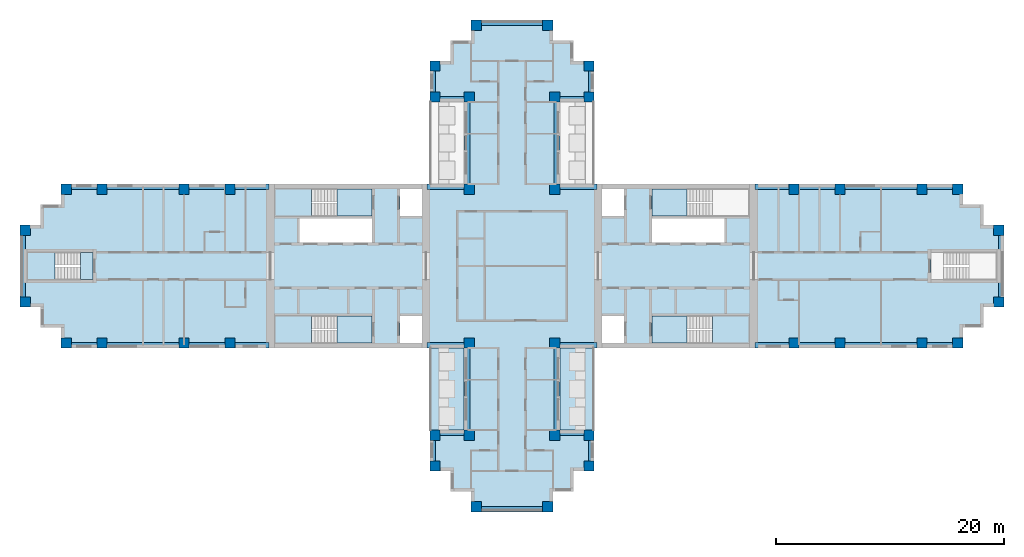
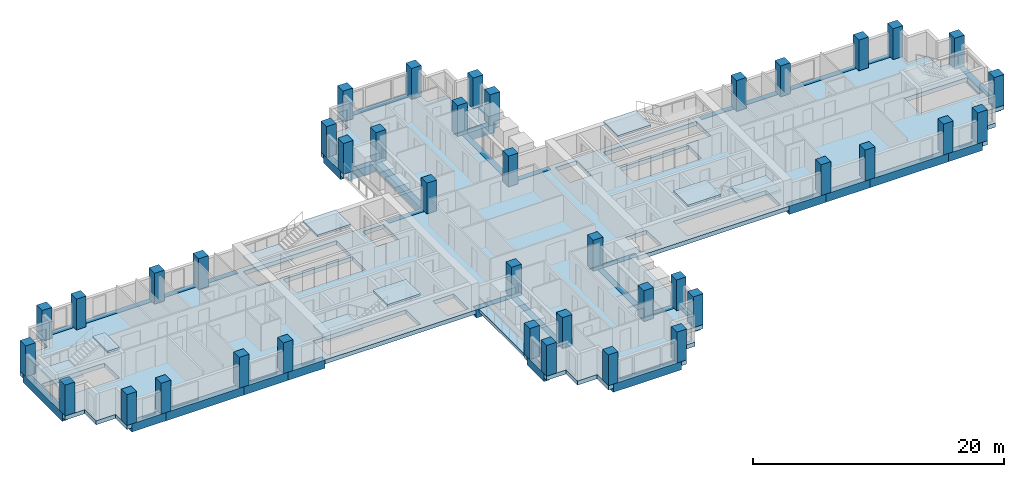
# One storey, part 1 of 12: 40 columns, 36 beams, 12 slabs, 5 elements without a shape of their own.
"""IFC4 building model written with IfcOpenShell, lengths in metres."""

from ifc_helpers import new_model, si_unit, direction, frame, origin, origin_2d, place, context, subcontext, project, spatial, polyline, rectangle, outline, extrude, material, layer, layer_set, material_profile, profile_set, type_object, element, aggregate, save


model = new_model("IFC4")

# Units and contexts
model_context = context("Model", 3, precision=1e-05, world=origin(), true_north=direction((0.0, 1.0)))
body_context = subcontext(model_context, "Body", "Model", "MODEL_VIEW")
ifc_project = project(units=[si_unit("LENGTHUNIT", "METRE"), si_unit("AREAUNIT", "SQUARE_METRE"), si_unit("VOLUMEUNIT", "CUBIC_METRE"), si_unit("PLANEANGLEUNIT", "RADIAN"), si_unit("MASSUNIT", "GRAM", prefix="KILO")], contexts=[model_context])

# Site, building, storey
site_placement = place(None, origin())
site = spatial("IfcSite", under=ifc_project, at=site_placement, CompositionType="ELEMENT")
building_placement = place(site_placement, origin())
building = spatial("IfcBuilding", under=site, at=building_placement, Name="Fustian Cross Tower", CompositionType="ELEMENT")
storey_placement = place(building_placement, frame((0.0, 0.0, 150.300048828125)))
storey = spatial("IfcBuildingStorey", under=building, at=storey_placement, Name="L47", CompositionType="ELEMENT", Elevation=150.300048828125)

# Columns
ifc_material_1 = material(Name="Concrete C50/60", Category="concrete")
ifc_material_profile_1 = material_profile(ifc_material_1, rectangle(XDim=0.89990234375, YDim=0.89990234375, at=origin_2d()), Name="RC 900x900")
ifc_profile_set_1 = profile_set([ifc_material_profile_1], Name="Concrete C50/60")
column_type = type_object("IfcColumnType", Name="COLUMN RC 900x900 C50/60", PredefinedType="COLUMN", material=ifc_profile_set_1)
for number, where, z_axis, x_axis, name in (
    (1, (-42.75, -3.14990234375, 0.0), (0.0, 0.0, 1.0), (1.0, 0.0, 0.0), "COLUMN 001"),
    (2, (-42.75, 3.14990234375, 0.0), (0.0, 0.0, 1.0), (1.0, 0.0, 0.0), "COLUMN 002"),
    (3, (-39.14990234375, -6.75, 0.0), (0.0, 0.0, 1.0), (1.0, 0.0, 0.0), "COLUMN 003"),
    (4, (-39.14990234375, 6.75, 0.0), (0.0, 0.0, 1.0), (1.0, 0.0, 0.0), "COLUMN 004"),
    (5, (-36.0, -6.75, 0.0), (0.0, 0.0, 1.0), (1.0, 0.0, 0.0), "COLUMN 005"),
    (6, (-36.0, 6.75, 0.0), (0.0, 0.0, 1.0), (1.0, 0.0, 0.0), "COLUMN 006"),
    (7, (-28.800048828125, -6.75, 0.0), (0.0, 0.0, 1.0), (1.0, 0.0, 0.0), "COLUMN 007"),
    (8, (-28.800048828125, 6.75, 0.0), (0.0, 0.0, 1.0), (1.0, 0.0, 0.0), "COLUMN 010"),
    (9, (-24.75, -6.75, 0.0), (0.0, 0.0, 1.0), (1.0, 0.0, 0.0), "COLUMN 011"),
    (10, (-24.75, 6.75, 0.0), (0.0, 0.0, 1.0), (1.0, 0.0, 0.0), "COLUMN 012"),
    (11, (-6.75, -17.550048828125, 0.0), (0.0, 0.0, 1.0), (1.0, 0.0, 0.0), "COLUMN 017"),
    (12, (-6.75, -14.85009765625, 0.0), (0.0, 0.0, 1.0), (1.0, 0.0, 0.0), "COLUMN 018"),
    (13, (-6.75, 14.85009765625, 0.0), (0.0, 0.0, 1.0), (1.0, 0.0, 0.0), "COLUMN 019"),
    (14, (-6.75, 17.550048828125, 0.0), (0.0, 0.0, 1.0), (1.0, 0.0, 0.0), "COLUMN 020"),
    (15, (-3.75, -14.85009765625, 0.0), (0.0, 0.0, 1.0), (1.0, 0.0, 0.0), "COLUMN 025"),
    (16, (-3.75, -6.75, 0.0), (0.0, 0.0, 1.0), (1.0, 0.0, 0.0), "COLUMN 026"),
    (17, (-3.75, 6.75, 0.0), (0.0, 0.0, 1.0), (1.0, 0.0, 0.0), "COLUMN 027"),
    (18, (-3.75, 14.85009765625, 0.0), (0.0, 0.0, 1.0), (1.0, 0.0, 0.0), "COLUMN 028"),
    (19, (-3.14990234375, -21.14990234375, 0.0), (0.0, 0.0, 1.0), (1.0, 0.0, 0.0), "COLUMN 030"),
    (20, (-3.14990234375, 21.14990234375, 0.0), (0.0, 0.0, 1.0), (1.0, 0.0, 0.0), "COLUMN 031"),
    (21, (3.14990234375, -21.14990234375, 0.0), (0.0, 0.0, 1.0), (1.0, 0.0, 0.0), "COLUMN 034"),
    (22, (3.14990234375, 21.14990234375, 0.0), (0.0, 0.0, 1.0), (1.0, 0.0, 0.0), "COLUMN 035"),
    (23, (3.75, -14.85009765625, 0.0), (0.0, 0.0, 1.0), (1.0, 0.0, 0.0), "COLUMN 037"),
    (24, (3.75, -6.75, 0.0), (0.0, 0.0, 1.0), (1.0, 0.0, 0.0), "COLUMN 038"),
    (25, (3.75, 6.75, 0.0), (0.0, 0.0, 1.0), (1.0, 0.0, 0.0), "COLUMN 039"),
    (26, (3.75, 14.85009765625, 0.0), (0.0, 0.0, 1.0), (1.0, 0.0, 0.0), "COLUMN 040"),
    (27, (6.75, -17.550048828125, 0.0), (0.0, 0.0, 1.0), (1.0, 0.0, 0.0), "COLUMN 045"),
    (28, (6.75, -14.85009765625, 0.0), (0.0, 0.0, 1.0), (1.0, 0.0, 0.0), "COLUMN 046"),
    (29, (6.75, 14.85009765625, 0.0), (0.0, 0.0, 1.0), (1.0, 0.0, 0.0), "COLUMN 047"),
    (30, (6.75, 17.550048828125, 0.0), (0.0, 0.0, 1.0), (1.0, 0.0, 0.0), "COLUMN 048"),
    (31, (24.75, -6.75, 0.0), (0.0, 0.0, 1.0), (1.0, 0.0, 0.0), "COLUMN 053"),
    (32, (24.75, 6.75, 0.0), (0.0, 0.0, 1.0), (1.0, 0.0, 0.0), "COLUMN 054"),
    (33, (28.800048828125, -6.75, 0.0), (0.0, 0.0, 1.0), (1.0, 0.0, 0.0), "COLUMN 055"),
    (34, (28.800048828125, 6.75, 0.0), (0.0, 0.0, 1.0), (1.0, 0.0, 0.0), "COLUMN 058"),
    (35, (36.0, -6.75, 0.0), (0.0, 0.0, 1.0), (1.0, 0.0, 0.0), "COLUMN 059"),
    (36, (36.0, 6.75, 0.0), (0.0, 0.0, 1.0), (1.0, 0.0, 0.0), "COLUMN 060"),
    (37, (39.14990234375, -6.75, 0.0), (0.0, 0.0, 1.0), (1.0, 0.0, 0.0), "COLUMN 061"),
    (38, (39.14990234375, 6.75, 0.0), (0.0, 0.0, 1.0), (1.0, 0.0, 0.0), "COLUMN 062"),
    (39, (42.75, -3.14990234375, 0.0), (0.0, 0.0, 1.0), (1.0, 0.0, 0.0), "COLUMN 063"),
    (40, (42.75, 3.14990234375, 0.0), (0.0, 0.0, 1.0), (1.0, 0.0, 0.0), "COLUMN 064"),
):
    element("IfcColumn", number, at=place(storey_placement, frame(where, z_axis=z_axis, x_axis=x_axis)), inside=storey, type_object=column_type, Name=name, PredefinedType="COLUMN", context=body_context, shape_type="SweptSolid", body=[
        extrude(rectangle(XDim=0.89990234375, YDim=0.89990234375, at=origin_2d()), origin(), (0.0, 0.0, 1.0), 3.0),
    ])

# Beams
ifc_material_2 = material(Name="Concrete C50/60", Category="concrete")
ifc_material_profile_2 = material_profile(ifc_material_2, rectangle(XDim=0.5, YDim=0.800048828125, at=origin_2d()), Name="RC 500x800")
ifc_profile_set_2 = profile_set([ifc_material_profile_2], Name="Concrete C50/60")
beam_type = type_object("IfcBeamType", Name="EDGE BEAM RC 500x800 C50/60", PredefinedType="SPANDREL", material=ifc_profile_set_2)
beam_1_placement = place(storey_placement, frame((21.35009765625, -6.949951171875, -0.400146484375), z_axis=(1.0, 0.0, 0.0), x_axis=(0.0, 1.0, 0.0)))
element("IfcBeam", 41, at=beam_1_placement, inside=storey, type_object=beam_type, Name="EDGE BEAM L47-01", PredefinedType="SPANDREL", context=body_context, shape_type="SweptSolid", body=[
    extrude(rectangle(XDim=0.5, YDim=0.800048828125, at=origin_2d()), origin(), (0.0, 0.0, 1.0), 3.39990234375),
])
beam_2_placement = place(storey_placement, frame((24.75, -6.949951171875, -0.400146484375), z_axis=(1.0, 0.0, 0.0), x_axis=(0.0, 1.0, 0.0)))
element("IfcBeam", 42, at=beam_2_placement, inside=storey, type_object=beam_type, Name="EDGE BEAM L47-02", PredefinedType="SPANDREL", context=body_context, shape_type="SweptSolid", body=[
    extrude(rectangle(XDim=0.5, YDim=0.800048828125, at=origin_2d()), origin(), (0.0, 0.0, 1.0), 4.050048828125),
])
beam_3_placement = place(storey_placement, frame((28.800048828125, -6.949951171875, -0.400146484375), z_axis=(1.0, 0.0, 0.0), x_axis=(0.0, 1.0, 0.0)))
element("IfcBeam", 43, at=beam_3_placement, inside=storey, type_object=beam_type, Name="EDGE BEAM L47-03", PredefinedType="SPANDREL", context=body_context, shape_type="SweptSolid", body=[
    extrude(rectangle(XDim=0.5, YDim=0.800048828125, at=origin_2d()), origin(), (0.0, 0.0, 1.0), 7.199951171875),
])
beam_4_placement = place(storey_placement, frame((36.0, -6.949951171875, -0.400146484375), z_axis=(1.0, 0.0, 0.0), x_axis=(0.0, 1.0, 0.0)))
element("IfcBeam", 44, at=beam_4_placement, inside=storey, type_object=beam_type, Name="EDGE BEAM L47-04", PredefinedType="SPANDREL", context=body_context, shape_type="SweptSolid", body=[
    extrude(rectangle(XDim=0.5, YDim=0.800048828125, at=origin_2d()), origin(), (0.0, 0.0, 1.0), 3.14990234375),
])
beam_5_placement = place(storey_placement, frame((42.949951171875, -3.14990234375, -0.400146484375), z_axis=(0.0, 1.0, 0.0), x_axis=(-1.0, 0.0, 0.0)))
element("IfcBeam", 45, at=beam_5_placement, inside=storey, type_object=beam_type, Name="EDGE BEAM L47-05", PredefinedType="SPANDREL", context=body_context, shape_type="SweptSolid", body=[
    extrude(rectangle(XDim=0.5, YDim=0.800048828125, at=origin_2d()), origin(), (0.0, 0.0, 1.0), 6.2998046875),
])
beam_6_placement = place(storey_placement, frame((39.14990234375, 6.949951171875, -0.400146484375), z_axis=(-1.0, 0.0, 0.0), x_axis=(0.0, -1.0, 0.0)))
element("IfcBeam", 46, at=beam_6_placement, inside=storey, type_object=beam_type, Name="EDGE BEAM L47-06", PredefinedType="SPANDREL", context=body_context, shape_type="SweptSolid", body=[
    extrude(rectangle(XDim=0.5, YDim=0.800048828125, at=origin_2d()), origin(), (0.0, 0.0, 1.0), 3.14990234375),
])
beam_7_placement = place(storey_placement, frame((36.0, 6.949951171875, -0.400146484375), z_axis=(-1.0, 0.0, 0.0), x_axis=(0.0, -1.0, 0.0)))
element("IfcBeam", 47, at=beam_7_placement, inside=storey, type_object=beam_type, Name="EDGE BEAM L47-07", PredefinedType="SPANDREL", context=body_context, shape_type="SweptSolid", body=[
    extrude(rectangle(XDim=0.5, YDim=0.800048828125, at=origin_2d()), origin(), (0.0, 0.0, 1.0), 7.199951171875),
])
beam_8_placement = place(storey_placement, frame((28.800048828125, 6.949951171875, -0.400146484375), z_axis=(-1.0, 0.0, 0.0), x_axis=(0.0, -1.0, 0.0)))
element("IfcBeam", 48, at=beam_8_placement, inside=storey, type_object=beam_type, Name="EDGE BEAM L47-08", PredefinedType="SPANDREL", context=body_context, shape_type="SweptSolid", body=[
    extrude(rectangle(XDim=0.5, YDim=0.800048828125, at=origin_2d()), origin(), (0.0, 0.0, 1.0), 4.050048828125),
])
beam_9_placement = place(storey_placement, frame((24.75, 6.949951171875, -0.400146484375), z_axis=(-1.0, 0.0, 0.0), x_axis=(0.0, -1.0, 0.0)))
element("IfcBeam", 49, at=beam_9_placement, inside=storey, type_object=beam_type, Name="EDGE BEAM L47-09", PredefinedType="SPANDREL", context=body_context, shape_type="SweptSolid", body=[
    extrude(rectangle(XDim=0.5, YDim=0.800048828125, at=origin_2d()), origin(), (0.0, 0.0, 1.0), 3.39990234375),
])
beam_10_placement = place(storey_placement, frame((7.449951171875, 6.949951171875, -0.400146484375), z_axis=(-1.0, 0.0, 0.0), x_axis=(0.0, -1.0, 0.0)))
element("IfcBeam", 50, at=beam_10_placement, inside=storey, type_object=beam_type, Name="EDGE BEAM L47-10", PredefinedType="SPANDREL", context=body_context, shape_type="SweptSolid", body=[
    extrude(rectangle(XDim=0.5, YDim=0.800048828125, at=origin_2d()), origin(), (0.0, 0.0, 1.0), 3.699951171875),
])
beam_11_placement = place(storey_placement, frame((3.949951171875, 6.75, -0.400146484375), z_axis=(0.0, 1.0, 0.0), x_axis=(-1.0, 0.0, 0.0)))
element("IfcBeam", 51, at=beam_11_placement, inside=storey, type_object=beam_type, Name="EDGE BEAM L47-11", PredefinedType="SPANDREL", context=body_context, shape_type="SweptSolid", body=[
    extrude(rectangle(XDim=0.5, YDim=0.800048828125, at=origin_2d()), origin(), (0.0, 0.0, 1.0), 8.10009765625),
])
beam_12_placement = place(storey_placement, frame((3.75, 14.64990234375, -0.400146484375), z_axis=(1.0, 0.0, 0.0), x_axis=(0.0, 1.0, 0.0)))
element("IfcBeam", 52, at=beam_12_placement, inside=storey, type_object=beam_type, Name="EDGE BEAM L47-12", PredefinedType="SPANDREL", context=body_context, shape_type="SweptSolid", body=[
    extrude(rectangle(XDim=0.5, YDim=0.800048828125, at=origin_2d()), origin(), (0.0, 0.0, 1.0), 3.0),
])
beam_13_placement = place(storey_placement, frame((6.949951171875, 14.85009765625, -0.400146484375), z_axis=(0.0, 1.0, 0.0), x_axis=(-1.0, 0.0, 0.0)))
element("IfcBeam", 53, at=beam_13_placement, inside=storey, type_object=beam_type, Name="EDGE BEAM L47-13", PredefinedType="SPANDREL", context=body_context, shape_type="SweptSolid", body=[
    extrude(rectangle(XDim=0.5, YDim=0.800048828125, at=origin_2d()), origin(), (0.0, 0.0, 1.0), 2.699951171875),
])
beam_14_placement = place(storey_placement, frame((3.14990234375, 21.35009765625, -0.400146484375), z_axis=(-1.0, 0.0, 0.0), x_axis=(0.0, -1.0, 0.0)))
element("IfcBeam", 54, at=beam_14_placement, inside=storey, type_object=beam_type, Name="EDGE BEAM L47-14", PredefinedType="SPANDREL", context=body_context, shape_type="SweptSolid", body=[
    extrude(rectangle(XDim=0.5, YDim=0.800048828125, at=origin_2d()), origin(), (0.0, 0.0, 1.0), 6.2998046875),
])
beam_15_placement = place(storey_placement, frame((-6.949951171875, 17.550048828125, -0.400146484375), z_axis=(0.0, -1.0, 0.0), x_axis=(1.0, 0.0, 0.0)))
element("IfcBeam", 55, at=beam_15_placement, inside=storey, type_object=beam_type, Name="EDGE BEAM L47-15", PredefinedType="SPANDREL", context=body_context, shape_type="SweptSolid", body=[
    extrude(rectangle(XDim=0.5, YDim=0.800048828125, at=origin_2d()), origin(), (0.0, 0.0, 1.0), 2.699951171875),
])
beam_16_placement = place(storey_placement, frame((-6.75, 14.64990234375, -0.400146484375), z_axis=(1.0, 0.0, 0.0), x_axis=(0.0, 1.0, 0.0)))
element("IfcBeam", 56, at=beam_16_placement, inside=storey, type_object=beam_type, Name="EDGE BEAM L47-16", PredefinedType="SPANDREL", context=body_context, shape_type="SweptSolid", body=[
    extrude(rectangle(XDim=0.5, YDim=0.800048828125, at=origin_2d()), origin(), (0.0, 0.0, 1.0), 3.0),
])
beam_17_placement = place(storey_placement, frame((-3.949951171875, 14.85009765625, -0.400146484375), z_axis=(0.0, -1.0, 0.0), x_axis=(1.0, 0.0, 0.0)))
element("IfcBeam", 57, at=beam_17_placement, inside=storey, type_object=beam_type, Name="EDGE BEAM L47-17", PredefinedType="SPANDREL", context=body_context, shape_type="SweptSolid", body=[
    extrude(rectangle(XDim=0.5, YDim=0.800048828125, at=origin_2d()), origin(), (0.0, 0.0, 1.0), 8.10009765625),
])
beam_18_placement = place(storey_placement, frame((-3.75, 6.949951171875, -0.400146484375), z_axis=(-1.0, 0.0, 0.0), x_axis=(0.0, -1.0, 0.0)))
element("IfcBeam", 58, at=beam_18_placement, inside=storey, type_object=beam_type, Name="EDGE BEAM L47-18", PredefinedType="SPANDREL", context=body_context, shape_type="SweptSolid", body=[
    extrude(rectangle(XDim=0.5, YDim=0.800048828125, at=origin_2d()), origin(), (0.0, 0.0, 1.0), 3.699951171875),
])
beam_19_placement = place(storey_placement, frame((-21.35009765625, 6.949951171875, -0.400146484375), z_axis=(-1.0, 0.0, 0.0), x_axis=(0.0, -1.0, 0.0)))
element("IfcBeam", 59, at=beam_19_placement, inside=storey, type_object=beam_type, Name="EDGE BEAM L47-19", PredefinedType="SPANDREL", context=body_context, shape_type="SweptSolid", body=[
    extrude(rectangle(XDim=0.5, YDim=0.800048828125, at=origin_2d()), origin(), (0.0, 0.0, 1.0), 3.39990234375),
])
beam_20_placement = place(storey_placement, frame((-24.75, 6.949951171875, -0.400146484375), z_axis=(-1.0, 0.0, 0.0), x_axis=(0.0, -1.0, 0.0)))
element("IfcBeam", 60, at=beam_20_placement, inside=storey, type_object=beam_type, Name="EDGE BEAM L47-20", PredefinedType="SPANDREL", context=body_context, shape_type="SweptSolid", body=[
    extrude(rectangle(XDim=0.5, YDim=0.800048828125, at=origin_2d()), origin(), (0.0, 0.0, 1.0), 4.050048828125),
])
beam_21_placement = place(storey_placement, frame((-28.800048828125, 6.949951171875, -0.400146484375), z_axis=(-1.0, 0.0, 0.0), x_axis=(0.0, -1.0, 0.0)))
element("IfcBeam", 61, at=beam_21_placement, inside=storey, type_object=beam_type, Name="EDGE BEAM L47-21", PredefinedType="SPANDREL", context=body_context, shape_type="SweptSolid", body=[
    extrude(rectangle(XDim=0.5, YDim=0.800048828125, at=origin_2d()), origin(), (0.0, 0.0, 1.0), 7.199951171875),
])
beam_22_placement = place(storey_placement, frame((-36.0, 6.949951171875, -0.400146484375), z_axis=(-1.0, 0.0, 0.0), x_axis=(0.0, -1.0, 0.0)))
element("IfcBeam", 62, at=beam_22_placement, inside=storey, type_object=beam_type, Name="EDGE BEAM L47-22", PredefinedType="SPANDREL", context=body_context, shape_type="SweptSolid", body=[
    extrude(rectangle(XDim=0.5, YDim=0.800048828125, at=origin_2d()), origin(), (0.0, 0.0, 1.0), 3.14990234375),
])
beam_23_placement = place(storey_placement, frame((-42.949951171875, 3.14990234375, -0.400146484375), z_axis=(0.0, -1.0, 0.0), x_axis=(1.0, 0.0, 0.0)))
element("IfcBeam", 63, at=beam_23_placement, inside=storey, type_object=beam_type, Name="EDGE BEAM L47-23", PredefinedType="SPANDREL", context=body_context, shape_type="SweptSolid", body=[
    extrude(rectangle(XDim=0.5, YDim=0.800048828125, at=origin_2d()), origin(), (0.0, 0.0, 1.0), 6.2998046875),
])
beam_24_placement = place(storey_placement, frame((-39.14990234375, -6.949951171875, -0.400146484375), z_axis=(1.0, 0.0, 0.0), x_axis=(0.0, 1.0, 0.0)))
element("IfcBeam", 64, at=beam_24_placement, inside=storey, type_object=beam_type, Name="EDGE BEAM L47-24", PredefinedType="SPANDREL", context=body_context, shape_type="SweptSolid", body=[
    extrude(rectangle(XDim=0.5, YDim=0.800048828125, at=origin_2d()), origin(), (0.0, 0.0, 1.0), 3.14990234375),
])
beam_25_placement = place(storey_placement, frame((-36.0, -6.949951171875, -0.400146484375), z_axis=(1.0, 0.0, 0.0), x_axis=(0.0, 1.0, 0.0)))
element("IfcBeam", 65, at=beam_25_placement, inside=storey, type_object=beam_type, Name="EDGE BEAM L47-25", PredefinedType="SPANDREL", context=body_context, shape_type="SweptSolid", body=[
    extrude(rectangle(XDim=0.5, YDim=0.800048828125, at=origin_2d()), origin(), (0.0, 0.0, 1.0), 7.199951171875),
])
beam_26_placement = place(storey_placement, frame((-28.800048828125, -6.949951171875, -0.400146484375), z_axis=(1.0, 0.0, 0.0), x_axis=(0.0, 1.0, 0.0)))
element("IfcBeam", 66, at=beam_26_placement, inside=storey, type_object=beam_type, Name="EDGE BEAM L47-26", PredefinedType="SPANDREL", context=body_context, shape_type="SweptSolid", body=[
    extrude(rectangle(XDim=0.5, YDim=0.800048828125, at=origin_2d()), origin(), (0.0, 0.0, 1.0), 4.050048828125),
])
beam_27_placement = place(storey_placement, frame((-24.75, -6.949951171875, -0.400146484375), z_axis=(1.0, 0.0, 0.0), x_axis=(0.0, 1.0, 0.0)))
element("IfcBeam", 67, at=beam_27_placement, inside=storey, type_object=beam_type, Name="EDGE BEAM L47-27", PredefinedType="SPANDREL", context=body_context, shape_type="SweptSolid", body=[
    extrude(rectangle(XDim=0.5, YDim=0.800048828125, at=origin_2d()), origin(), (0.0, 0.0, 1.0), 3.39990234375),
])
beam_28_placement = place(storey_placement, frame((-7.449951171875, -6.949951171875, -0.400146484375), z_axis=(1.0, 0.0, 0.0), x_axis=(0.0, 1.0, 0.0)))
element("IfcBeam", 68, at=beam_28_placement, inside=storey, type_object=beam_type, Name="EDGE BEAM L47-28", PredefinedType="SPANDREL", context=body_context, shape_type="SweptSolid", body=[
    extrude(rectangle(XDim=0.5, YDim=0.800048828125, at=origin_2d()), origin(), (0.0, 0.0, 1.0), 3.699951171875),
])
beam_29_placement = place(storey_placement, frame((-3.949951171875, -6.75, -0.400146484375), z_axis=(0.0, -1.0, 0.0), x_axis=(1.0, 0.0, 0.0)))
element("IfcBeam", 69, at=beam_29_placement, inside=storey, type_object=beam_type, Name="EDGE BEAM L47-29", PredefinedType="SPANDREL", context=body_context, shape_type="SweptSolid", body=[
    extrude(rectangle(XDim=0.5, YDim=0.800048828125, at=origin_2d()), origin(), (0.0, 0.0, 1.0), 8.10009765625),
])
beam_30_placement = place(storey_placement, frame((-3.75, -14.64990234375, -0.400146484375), z_axis=(-1.0, 0.0, 0.0), x_axis=(0.0, -1.0, 0.0)))
element("IfcBeam", 70, at=beam_30_placement, inside=storey, type_object=beam_type, Name="EDGE BEAM L47-30", PredefinedType="SPANDREL", context=body_context, shape_type="SweptSolid", body=[
    extrude(rectangle(XDim=0.5, YDim=0.800048828125, at=origin_2d()), origin(), (0.0, 0.0, 1.0), 3.0),
])
beam_31_placement = place(storey_placement, frame((-6.949951171875, -14.85009765625, -0.400146484375), z_axis=(0.0, -1.0, 0.0), x_axis=(1.0, 0.0, 0.0)))
element("IfcBeam", 71, at=beam_31_placement, inside=storey, type_object=beam_type, Name="EDGE BEAM L47-31", PredefinedType="SPANDREL", context=body_context, shape_type="SweptSolid", body=[
    extrude(rectangle(XDim=0.5, YDim=0.800048828125, at=origin_2d()), origin(), (0.0, 0.0, 1.0), 2.699951171875),
])
beam_32_placement = place(storey_placement, frame((-3.14990234375, -21.35009765625, -0.400146484375), z_axis=(1.0, 0.0, 0.0), x_axis=(0.0, 1.0, 0.0)))
element("IfcBeam", 72, at=beam_32_placement, inside=storey, type_object=beam_type, Name="EDGE BEAM L47-32", PredefinedType="SPANDREL", context=body_context, shape_type="SweptSolid", body=[
    extrude(rectangle(XDim=0.5, YDim=0.800048828125, at=origin_2d()), origin(), (0.0, 0.0, 1.0), 6.2998046875),
])
beam_33_placement = place(storey_placement, frame((6.949951171875, -17.550048828125, -0.400146484375), z_axis=(0.0, 1.0, 0.0), x_axis=(-1.0, 0.0, 0.0)))
element("IfcBeam", 73, at=beam_33_placement, inside=storey, type_object=beam_type, Name="EDGE BEAM L47-33", PredefinedType="SPANDREL", context=body_context, shape_type="SweptSolid", body=[
    extrude(rectangle(XDim=0.5, YDim=0.800048828125, at=origin_2d()), origin(), (0.0, 0.0, 1.0), 2.699951171875),
])
beam_34_placement = place(storey_placement, frame((6.75, -14.64990234375, -0.400146484375), z_axis=(-1.0, 0.0, 0.0), x_axis=(0.0, -1.0, 0.0)))
element("IfcBeam", 74, at=beam_34_placement, inside=storey, type_object=beam_type, Name="EDGE BEAM L47-34", PredefinedType="SPANDREL", context=body_context, shape_type="SweptSolid", body=[
    extrude(rectangle(XDim=0.5, YDim=0.800048828125, at=origin_2d()), origin(), (0.0, 0.0, 1.0), 3.0),
])
beam_35_placement = place(storey_placement, frame((3.949951171875, -14.85009765625, -0.400146484375), z_axis=(0.0, 1.0, 0.0), x_axis=(-1.0, 0.0, 0.0)))
element("IfcBeam", 75, at=beam_35_placement, inside=storey, type_object=beam_type, Name="EDGE BEAM L47-35", PredefinedType="SPANDREL", context=body_context, shape_type="SweptSolid", body=[
    extrude(rectangle(XDim=0.5, YDim=0.800048828125, at=origin_2d()), origin(), (0.0, 0.0, 1.0), 8.10009765625),
])
beam_36_placement = place(storey_placement, frame((3.75, -6.949951171875, -0.400146484375), z_axis=(1.0, 0.0, 0.0), x_axis=(0.0, 1.0, 0.0)))
element("IfcBeam", 76, at=beam_36_placement, inside=storey, type_object=beam_type, Name="EDGE BEAM L47-36", PredefinedType="SPANDREL", context=body_context, shape_type="SweptSolid", body=[
    extrude(rectangle(XDim=0.5, YDim=0.800048828125, at=origin_2d()), origin(), (0.0, 0.0, 1.0), 3.699951171875),
])

# Slabs
ifc_material_3 = material(Name="Concrete C40/50", Category="concrete")
ifc_layer_1 = layer(ifc_material_3, 0.300048828125)
ifc_layer_set_1 = layer_set([ifc_layer_1], Name="Concrete C40/50")
slab_type_1 = type_object("IfcSlabType", Name="BS1 BALCONY SLAB 300", PredefinedType="FLOOR", material=ifc_layer_set_1)
slab_1_placement = place(storey_placement, frame((0.0, 0.0, -0.300048828125)))
element("IfcSlab", 77, at=slab_1_placement, inside=storey, type_object=slab_type_1, Name="Balcony slab", PredefinedType="FLOOR", context=body_context, shape_type="SweptSolid", body=[
    extrude(outline(polyline([(4.199951171875, -14.39990234375), (7.199951171875, -14.39990234375), (7.199951171875, -7.199951171875), (4.199951171875, -7.199951171875), (4.199951171875, -14.39990234375)])), origin(), (0.0, 0.0, 1.0), 0.300048828125),
])
slab_2_placement = place(storey_placement, frame((0.0, 0.0, -0.300048828125)))
element("IfcSlab", 78, at=slab_2_placement, inside=storey, type_object=slab_type_1, Name="Balcony slab", PredefinedType="FLOOR", context=body_context, shape_type="SweptSolid", body=[
    extrude(outline(polyline([(-7.199951171875, -14.39990234375), (-4.199951171875, -14.39990234375), (-4.199951171875, -7.199951171875), (-7.199951171875, -7.199951171875), (-7.199951171875, -14.39990234375)])), origin(), (0.0, 0.0, 1.0), 0.300048828125),
])
ifc_material_4 = material(Name="Concrete C40/50", Category="concrete")
ifc_layer_2 = layer(ifc_material_4, 0.39990234375)
ifc_layer_set_2 = layer_set([ifc_layer_2], Name="Concrete C40/50")
slab_type_2 = type_object("IfcSlabType", Name="FLAT SLAB 400", PredefinedType="FLOOR", material=ifc_layer_set_2)
slab_3_placement = place(storey_placement, frame((0.0, 0.0, -0.400146484375)))
element("IfcSlab", 79, at=slab_3_placement, inside=storey, type_object=slab_type_2, Name="FLOOR SLAB L47-1", PredefinedType="FLOOR", context=body_context, shape_type="SweptSolid", body=[
    extrude(outline(polyline([(-5.39990234375, -18.0), (-7.199951171875, -18.0), (-7.199951171875, -14.39990234375), (-4.199951171875, -14.39990234375), (-4.199951171875, -7.199951171875), (-39.60009765625, -7.199951171875), (-39.60009765625, -5.39990234375), (-41.39990234375, -5.39990234375), (-41.39990234375, -3.60009765625), (-43.199951171875, -3.60009765625), (-43.199951171875, 3.60009765625), (-41.39990234375, 3.60009765625), (-41.39990234375, 5.39990234375), (-39.60009765625, 5.39990234375), (-39.60009765625, 7.199951171875), (-4.199951171875, 7.199951171875), (-4.199951171875, 14.39990234375), (-7.199951171875, 14.39990234375), (-7.199951171875, 18.0), (-5.39990234375, 18.0), (-5.39990234375, 19.800048828125), (-3.60009765625, 19.800048828125), (-3.60009765625, 21.60009765625), (3.60009765625, 21.60009765625), (3.60009765625, 19.800048828125), (5.39990234375, 19.800048828125), (5.39990234375, 18.0), (7.199951171875, 18.0), (7.199951171875, 14.39990234375), (4.199951171875, 14.39990234375), (4.199951171875, 7.199951171875), (39.60009765625, 7.199951171875), (39.60009765625, 5.39990234375), (41.39990234375, 5.39990234375), (41.39990234375, 3.60009765625), (43.199951171875, 3.60009765625), (43.199951171875, -3.60009765625), (41.39990234375, -3.60009765625), (41.39990234375, -5.39990234375), (39.60009765625, -5.39990234375), (39.60009765625, -7.199951171875), (4.199951171875, -7.199951171875), (4.199951171875, -14.39990234375), (7.199951171875, -14.39990234375), (7.199951171875, -18.0), (5.39990234375, -18.0), (5.39990234375, -19.800048828125), (3.60009765625, -19.800048828125), (3.60009765625, -21.60009765625), (-3.60009765625, -21.60009765625), (-3.60009765625, -19.800048828125), (-5.39990234375, -19.800048828125), (-5.39990234375, -18.0)]), holes=[polyline([(9.85009765625, 4.39990234375), (9.85009765625, 6.75), (7.89990234375, 6.75), (7.89990234375, 4.39990234375), (9.85009765625, 4.39990234375)]), polyline([(7.89990234375, -6.75), (9.85009765625, -6.75), (9.85009765625, -4.39990234375), (7.89990234375, -4.39990234375), (7.89990234375, -6.75)]), polyline([(-9.85009765625, 6.75), (-9.85009765625, 4.39990234375), (-7.89990234375, 4.39990234375), (-7.89990234375, 6.75), (-9.85009765625, 6.75)]), polyline([(-7.89990234375, -4.39990234375), (-9.85009765625, -4.39990234375), (-9.85009765625, -6.75), (-7.89990234375, -6.75), (-7.89990234375, -4.39990234375)]), polyline([(18.64990234375, 2.050048828125), (18.64990234375, 4.14990234375), (12.300048828125, 4.14990234375), (12.300048828125, 2.050048828125), (18.64990234375, 2.050048828125)]), polyline([(-18.64990234375, 2.050048828125), (-12.300048828125, 2.050048828125), (-12.300048828125, 4.14990234375), (-18.64990234375, 4.14990234375), (-18.64990234375, 2.050048828125)]), polyline([(12.300048828125, 6.699951171875), (12.300048828125, 4.39990234375), (20.85009765625, 4.39990234375), (20.85009765625, 6.699951171875), (12.300048828125, 6.699951171875)]), polyline([(20.85009765625, -4.39990234375), (12.300048828125, -4.39990234375), (12.300048828125, -6.699951171875), (20.85009765625, -6.699951171875), (20.85009765625, -4.39990234375)]), polyline([(-12.300048828125, 4.39990234375), (-12.300048828125, 6.699951171875), (-20.85009765625, 6.699951171875), (-20.85009765625, 4.39990234375), (-12.300048828125, 4.39990234375)]), polyline([(-20.85009765625, -6.699951171875), (-12.300048828125, -6.699951171875), (-12.300048828125, -4.39990234375), (-20.85009765625, -4.39990234375), (-20.85009765625, -6.699951171875)]), polyline([(36.800048828125, 1.199951171875), (36.800048828125, -1.199951171875), (42.60009765625, -1.199951171875), (42.60009765625, 1.199951171875), (36.800048828125, 1.199951171875)]), polyline([(-36.800048828125, 1.199951171875), (-42.60009765625, 1.199951171875), (-42.60009765625, -1.199951171875), (-36.800048828125, -1.199951171875), (-36.800048828125, 1.199951171875)])]), origin(), (0.0, 0.0, 1.0), 0.400146484375),
])

# Stair, slab
ifc_material_5 = material(Name="Concrete C50/60", Category="concrete")
stair_type_1 = type_object("IfcStairType", Name="STAIR 1150 HALF TURN", PredefinedType="HALF_TURN_STAIR", material=ifc_material_5)
stair_1_placement = place(storey_placement, origin())
stair_1 = element("IfcStair", 80, at=stair_1_placement, inside=storey, type_object=stair_type_1, Name="Stair ST1", PredefinedType="HALF_TURN_STAIR")
ifc_material_6 = material(Name="Concrete C50/60", Category="concrete")
ifc_layer_3 = layer(ifc_material_6, 0.199951171875)
ifc_layer_set_3 = layer_set([ifc_layer_3], Name="Concrete C50/60")
slab_type_3 = type_object("IfcSlabType", Name="STAIR LANDING", PredefinedType="LANDING", material=ifc_layer_set_3)
slab_4_placement = place(storey_placement, frame((0.0, 0.0, 2.800048828125)))
slab_4 = element("IfcSlab", 81, at=slab_4_placement, type_object=slab_type_3, Name="ST1 landing 2", PredefinedType="LANDING", context=body_context, shape_type="SweptSolid", body=[
    extrude(outline(polyline([(12.300048828125, 4.39990234375), (15.35009765625, 4.39990234375), (15.35009765625, 6.75), (12.300048828125, 6.75), (12.300048828125, 4.39990234375)])), origin(), (0.0, 0.0, 1.0), 0.199951171875),
])
aggregate(stair_1, [slab_4])

# Stair, slabs
stair_2_placement = place(storey_placement, origin())
stair_2 = element("IfcStair", 82, at=stair_2_placement, inside=storey, type_object=stair_type_1, Name="Stair ST2", PredefinedType="HALF_TURN_STAIR")
slab_5_placement = place(storey_placement, frame((0.0, 0.0, 1.300048828125)))
slab_5 = element("IfcSlab", 83, at=slab_5_placement, type_object=slab_type_3, Name="ST2 landing 1", PredefinedType="LANDING", context=body_context, shape_type="SweptSolid", body=[
    extrude(outline(polyline([(17.590087890625, -4.39990234375), (20.85009765625, -4.39990234375), (20.85009765625, -6.75), (17.590087890625, -6.75), (17.590087890625, -4.39990234375)])), origin(), (0.0, 0.0, 1.0), 0.199951171875),
])
slab_6_placement = place(storey_placement, frame((0.0, 0.0, 2.800048828125)))
slab_6 = element("IfcSlab", 84, at=slab_6_placement, type_object=slab_type_3, Name="ST2 landing 2", PredefinedType="LANDING", context=body_context, shape_type="SweptSolid", body=[
    extrude(outline(polyline([(12.300048828125, -4.39990234375), (15.35009765625, -4.39990234375), (15.35009765625, -6.75), (12.300048828125, -6.75), (12.300048828125, -4.39990234375)])), origin(), (0.0, 0.0, 1.0), 0.199951171875),
])
aggregate(stair_2, [slab_5, slab_6])

stair_3_placement = place(storey_placement, origin())
stair_3 = element("IfcStair", 85, at=stair_3_placement, inside=storey, type_object=stair_type_1, Name="Stair ST3", PredefinedType="HALF_TURN_STAIR")
slab_7_placement = place(storey_placement, frame((0.0, 0.0, 1.300048828125)))
slab_7 = element("IfcSlab", 86, at=slab_7_placement, type_object=slab_type_3, Name="ST3 landing 1", PredefinedType="LANDING", context=body_context, shape_type="SweptSolid", body=[
    extrude(outline(polyline([(-17.590087890625, 4.39990234375), (-20.85009765625, 4.39990234375), (-20.85009765625, 6.75), (-17.590087890625, 6.75), (-17.590087890625, 4.39990234375)])), origin(), (0.0, 0.0, 1.0), 0.199951171875),
])
slab_8_placement = place(storey_placement, frame((0.0, 0.0, 2.800048828125)))
slab_8 = element("IfcSlab", 87, at=slab_8_placement, type_object=slab_type_3, Name="ST3 landing 2", PredefinedType="LANDING", context=body_context, shape_type="SweptSolid", body=[
    extrude(outline(polyline([(-12.300048828125, 4.39990234375), (-15.35009765625, 4.39990234375), (-15.35009765625, 6.75), (-12.300048828125, 6.75), (-12.300048828125, 4.39990234375)])), origin(), (0.0, 0.0, 1.0), 0.199951171875),
])
aggregate(stair_3, [slab_7, slab_8])

stair_4_placement = place(storey_placement, origin())
stair_4 = element("IfcStair", 88, at=stair_4_placement, inside=storey, type_object=stair_type_1, Name="Stair ST4", PredefinedType="HALF_TURN_STAIR")
slab_9_placement = place(storey_placement, frame((0.0, 0.0, 1.300048828125)))
slab_9 = element("IfcSlab", 89, at=slab_9_placement, type_object=slab_type_3, Name="ST4 landing 1", PredefinedType="LANDING", context=body_context, shape_type="SweptSolid", body=[
    extrude(outline(polyline([(-17.590087890625, -4.39990234375), (-20.85009765625, -4.39990234375), (-20.85009765625, -6.75), (-17.590087890625, -6.75), (-17.590087890625, -4.39990234375)])), origin(), (0.0, 0.0, 1.0), 0.199951171875),
])
slab_10_placement = place(storey_placement, frame((0.0, 0.0, 2.800048828125)))
slab_10 = element("IfcSlab", 90, at=slab_10_placement, type_object=slab_type_3, Name="ST4 landing 2", PredefinedType="LANDING", context=body_context, shape_type="SweptSolid", body=[
    extrude(outline(polyline([(-12.300048828125, -4.39990234375), (-15.35009765625, -4.39990234375), (-15.35009765625, -6.75), (-12.300048828125, -6.75), (-12.300048828125, -4.39990234375)])), origin(), (0.0, 0.0, 1.0), 0.199951171875),
])
aggregate(stair_4, [slab_9, slab_10])

ifc_material_7 = material(Name="Concrete C50/60", Category="concrete")
stair_type_2 = type_object("IfcStairType", Name="STAIR 1100 HALF TURN", PredefinedType="HALF_TURN_STAIR", material=ifc_material_7)
stair_5_placement = place(storey_placement, origin())
stair_5 = element("IfcStair", 91, at=stair_5_placement, inside=storey, type_object=stair_type_2, Name="Stair ST9", PredefinedType="HALF_TURN_STAIR")
slab_11_placement = place(storey_placement, frame((0.0, 0.0, 1.300048828125)))
slab_11 = element("IfcSlab", 92, at=slab_11_placement, type_object=slab_type_3, Name="ST9 landing 1", PredefinedType="LANDING", context=body_context, shape_type="SweptSolid", body=[
    extrude(outline(polyline([(-40.139892578125, -1.199951171875), (-42.60009765625, -1.199951171875), (-42.60009765625, 1.199951171875), (-40.139892578125, 1.199951171875), (-40.139892578125, -1.199951171875)])), origin(), (0.0, 0.0, 1.0), 0.199951171875),
])
slab_12_placement = place(storey_placement, frame((0.0, 0.0, 2.800048828125)))
slab_12 = element("IfcSlab", 93, at=slab_12_placement, type_object=slab_type_3, Name="ST9 landing 2", PredefinedType="LANDING", context=body_context, shape_type="SweptSolid", body=[
    extrude(outline(polyline([(-36.800048828125, -1.199951171875), (-37.89990234375, -1.199951171875), (-37.89990234375, 1.199951171875), (-36.800048828125, 1.199951171875), (-36.800048828125, -1.199951171875)])), origin(), (0.0, 0.0, 1.0), 0.199951171875),
])
aggregate(stair_5, [slab_11, slab_12])

save(model, "model.ifc")
